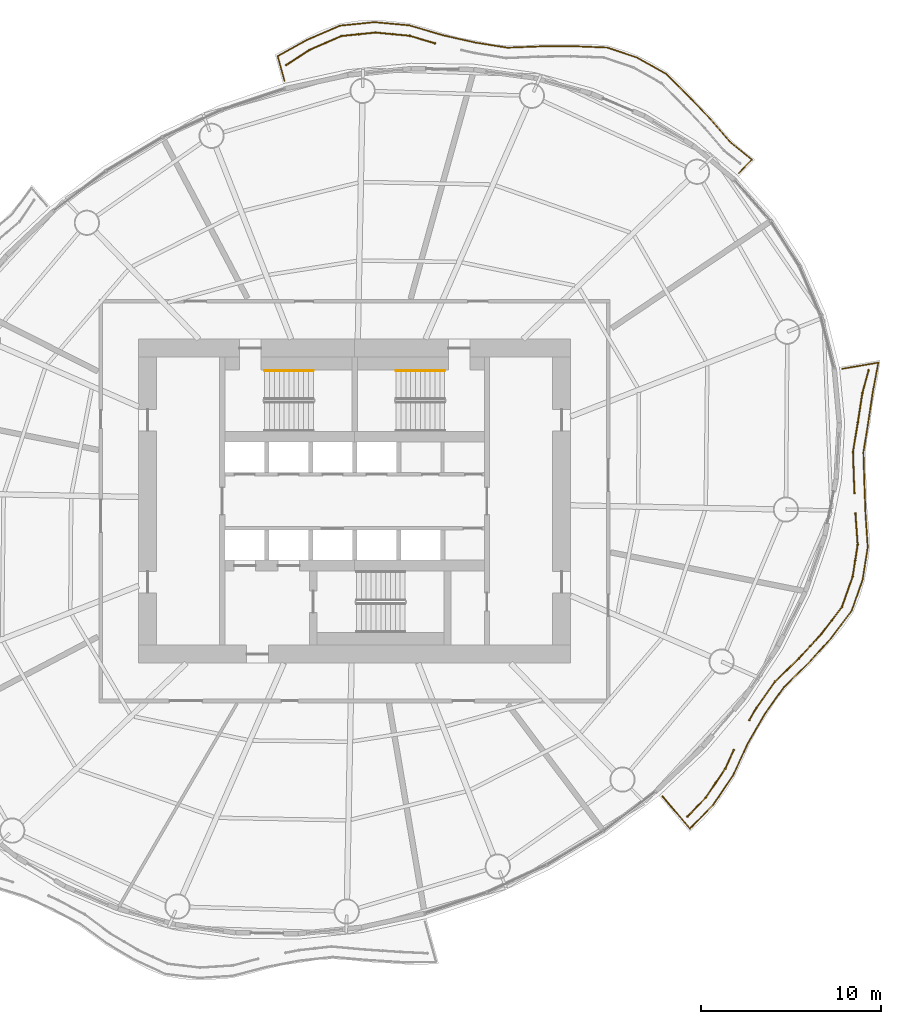
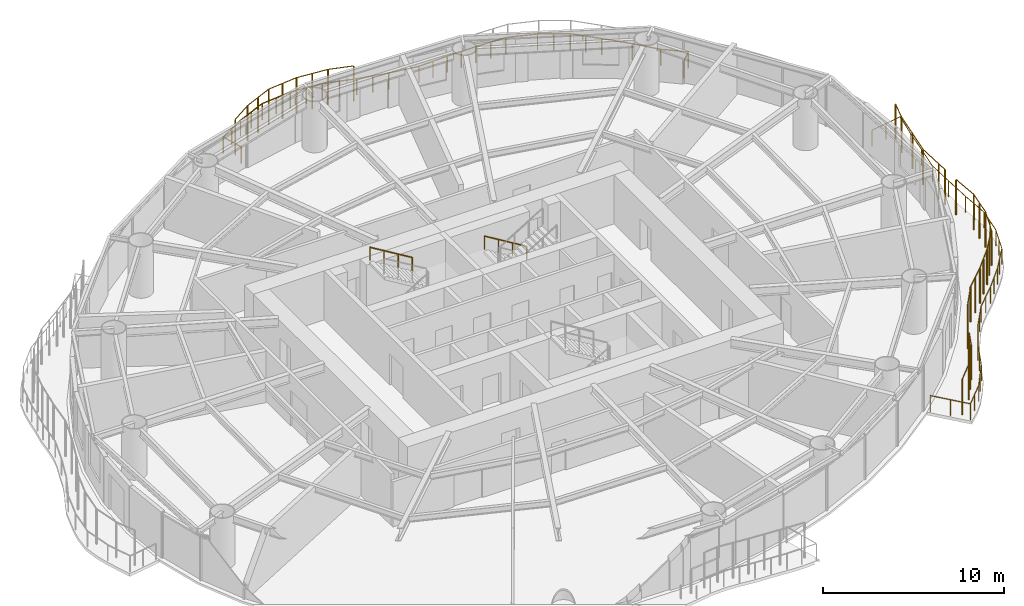
# One storey, part 15 of 16: 8 railings.
"""IFC4 building model written with IfcOpenShell, lengths in metres."""

from ifc_helpers import new_model, si_unit, direction, frame, origin, origin_2d, place, context, subcontext, project, spatial, circle, extrude, material, type_object, element, save


model = new_model("IFC4")

# Units and contexts
model_context = context("Model", 3, precision=1e-05, world=origin(), true_north=direction((0.0, 1.0)))
body_context = subcontext(model_context, "Body", "Model", "MODEL_VIEW")
ifc_project = project(units=[si_unit("LENGTHUNIT", "METRE"), si_unit("AREAUNIT", "SQUARE_METRE"), si_unit("VOLUMEUNIT", "CUBIC_METRE"), si_unit("PLANEANGLEUNIT", "RADIAN"), si_unit("MASSUNIT", "GRAM", prefix="KILO")], contexts=[model_context])

# Site, building, storey
site_placement = place(None, origin())
site = spatial("IfcSite", under=ifc_project, at=site_placement, CompositionType="ELEMENT")
building_placement = place(site_placement, origin())
building = spatial("IfcBuilding", under=site, at=building_placement, Name="Vermilion Reach Broadcast Tower", CompositionType="ELEMENT")
storey_placement = place(building_placement, frame((0.0, 0.0, 147.0)))
storey = spatial("IfcBuildingStorey", under=building, at=storey_placement, Name="L34", CompositionType="ELEMENT", Elevation=147.0)

# Railings
ifc_material_1 = material(Name="Terracotta baguette", Category="masonry")
railing_type_1 = type_object("IfcRailingType", Name="BAGUETTE SCREEN", PredefinedType="USERDEFINED", material=ifc_material_1)
railing_1_placement = place(storey_placement, frame((-1.541748046875, 25.438232421875, 0.0)))
element("IfcRailing", 1, at=railing_1_placement, inside=storey, type_object=railing_type_1, Name="Baguette screen L34 group 1 part 2", ObjectType="BAGUETTE SCREEN", PredefinedType="USERDEFINED", context=body_context, shape_type="SweptSolid", body=[
    extrude(circle(Radius=0.030029296875, at=origin_2d()), frame((0.0, 0.0, 2.369873046875), z_axis=(-0.95769247561, 0.28779354086, 0.0), x_axis=(-0.28779354086, -0.95769247561, 0.0)), (0.0, 0.0, 1.0), 1.45751953125),
    extrude(circle(Radius=0.030029296875, at=origin_2d()), frame((-1.395751953125, 0.41943359375, 2.369873046875), z_axis=(-0.995546355901, 0.094273290237, 0.0), x_axis=(-0.094273290237, -0.995546355901, 0.0)), (0.0, 0.0, 1.0), 1.913818359375),
    extrude(circle(Radius=0.030029296875, at=origin_2d()), frame((-3.301025390625, 0.599853515625, 2.369873046875), z_axis=(-0.994886842571, -0.10099589338, 0.0), x_axis=(0.10099589338, -0.994886842571, 0.0)), (0.0, 0.0, 1.0), 1.895263671875),
    extrude(circle(Radius=0.030029296875, at=origin_2d()), frame((-5.1865234375, 0.408447265625, 2.369873046875), z_axis=(-0.916602414635, -0.39979996684, 0.0), x_axis=(0.39979996684, -0.916602414635, 0.0)), (0.0, 0.0, 1.0), 1.96142578125),
    extrude(circle(Radius=0.030029296875, at=origin_2d()), frame((-6.984375, -0.375732421875, 2.369873046875), z_axis=(-0.837789559626, -0.545993272652, 0.0), x_axis=(0.545993272652, -0.837789559626, 0.0)), (0.0, 0.0, 1.0), 1.51953125),
    extrude(circle(Radius=0.050048828125, at=origin_2d()), origin(), (0.0, 0.0, 1.0), 2.33984375),
    extrude(circle(Radius=0.050048828125, at=origin_2d()), frame((-1.395751953125, 0.41943359375, 0.0)), (0.0, 0.0, 1.0), 2.33984375),
    extrude(circle(Radius=0.050048828125, at=origin_2d()), frame((-2.348388671875, 0.509765625, 0.0)), (0.0, 0.0, 1.0), 2.33984375),
    extrude(circle(Radius=0.050048828125, at=origin_2d()), frame((-3.301025390625, 0.599853515625, 0.0)), (0.0, 0.0, 1.0), 2.33984375),
    extrude(circle(Radius=0.050048828125, at=origin_2d()), frame((-4.24365234375, 0.504150390625, 0.0)), (0.0, 0.0, 1.0), 2.33984375),
    extrude(circle(Radius=0.050048828125, at=origin_2d()), frame((-5.1865234375, 0.408447265625, 0.0)), (0.0, 0.0, 1.0), 2.33984375),
    extrude(circle(Radius=0.050048828125, at=origin_2d()), frame((-6.08544921875, 0.016357421875, 0.0)), (0.0, 0.0, 1.0), 2.33984375),
    extrude(circle(Radius=0.050048828125, at=origin_2d()), frame((-6.984375, -0.375732421875, 0.0)), (0.0, 0.0, 1.0), 2.33984375),
    extrude(circle(Radius=0.050048828125, at=origin_2d()), frame((-8.25732421875, -1.205322265625, 0.0)), (0.0, 0.0, 1.0), 2.33984375),
])
railing_2_placement = place(storey_placement, frame((12.486083984375, -17.52587890625, 0.0)))
element("IfcRailing", 2, at=railing_2_placement, inside=storey, type_object=railing_type_1, Name="Baguette screen L34 group 4 part 1", ObjectType="BAGUETTE SCREEN", PredefinedType="USERDEFINED", context=body_context, shape_type="SweptSolid", body=[
    extrude(circle(Radius=0.030029296875, at=origin_2d()), frame((0.0, 0.0, 2.369873046875), z_axis=(0.695079183505, 0.718933187896, 0.0), x_axis=(-0.718933187896, 0.695079183505, 0.0)), (0.0, 0.0, 1.0), 1.473876953125),
    extrude(circle(Radius=0.030029296875, at=origin_2d()), frame((1.0244140625, 1.0595703125, 2.369873046875), z_axis=(0.558402952542, 0.829569853956, 0.0), x_axis=(-0.829569853956, 0.558402952542, 0.0)), (0.0, 0.0, 1.0), 1.94482421875),
    extrude(circle(Radius=0.030029296875, at=origin_2d()), frame((2.1103515625, 2.6728515625, 2.369873046875), z_axis=(0.412215087642, 0.911086560937, 0.0), x_axis=(-0.911086560937, 0.412215087642, 0.0)), (0.0, 0.0, 1.0), 1.1240234375),
    extrude(circle(Radius=0.050048828125, at=origin_2d()), origin(), (0.0, 0.0, 1.0), 2.33984375),
    extrude(circle(Radius=0.050048828125, at=origin_2d()), frame((1.0244140625, 1.0595703125, 0.0)), (0.0, 0.0, 1.0), 2.33984375),
    extrude(circle(Radius=0.050048828125, at=origin_2d()), frame((1.5673828125, 1.8662109375, 0.0)), (0.0, 0.0, 1.0), 2.33984375),
    extrude(circle(Radius=0.050048828125, at=origin_2d()), frame((2.1103515625, 2.6728515625, 0.0)), (0.0, 0.0, 1.0), 2.33984375),
    extrude(circle(Radius=0.050048828125, at=origin_2d()), frame((2.57373046875, 3.697021484375, 0.0)), (0.0, 0.0, 1.0), 2.33984375),
])
railing_3_placement = place(storey_placement, frame((15.930908203125, -12.15966796875, 0.0)))
element("IfcRailing", 3, at=railing_3_placement, inside=storey, type_object=railing_type_1, Name="Baguette screen L34 group 4 part 2", ObjectType="BAGUETTE SCREEN", PredefinedType="USERDEFINED", context=body_context, shape_type="SweptSolid", body=[
    extrude(circle(Radius=0.030029296875, at=origin_2d()), frame((0.0, 0.0, 2.369873046875), z_axis=(0.500360646698, 0.865817084167, 0.0), x_axis=(-0.865817084167, 0.500360646698, 0.0)), (0.0, 0.0, 1.0), 0.78369140625),
    extrude(circle(Radius=0.030029296875, at=origin_2d()), frame((0.39208984375, 0.678466796875, 2.369873046875), z_axis=(0.577444728179, 0.816429780139, 0.0), x_axis=(-0.816429780139, 0.577444728179, 0.0)), (0.0, 0.0, 1.0), 1.78662109375),
    extrude(circle(Radius=0.030029296875, at=origin_2d()), frame((1.423828125, 2.13720703125, 2.369873046875), z_axis=(0.718695260594, 0.695325191835, 0.0), x_axis=(-0.695325191835, 0.718695260594, 0.0)), (0.0, 0.0, 1.0), 1.859619140625),
    extrude(circle(Radius=0.030029296875, at=origin_2d()), frame((2.76025390625, 3.43017578125, 2.369873046875), z_axis=(0.674855651547, 0.737949760875, 0.0), x_axis=(-0.737949760875, 0.674855651547, 0.0)), (0.0, 0.0, 1.0), 1.845703125),
    extrude(circle(Radius=0.030029296875, at=origin_2d()), frame((4.005859375, 4.792236328125, 2.369873046875), z_axis=(0.607503482962, 0.79431701366, 0.0), x_axis=(-0.79431701366, 0.607503482962, 0.0)), (0.0, 0.0, 1.0), 1.867431640625),
    extrude(circle(Radius=0.030029296875, at=origin_2d()), frame((5.140380859375, 6.275634765625, 2.369873046875), z_axis=(0.333526426713, 0.942740750516, 0.0), x_axis=(-0.942740750516, 0.333526426713, 0.0)), (0.0, 0.0, 1.0), 1.789794921875),
    extrude(circle(Radius=0.030029296875, at=origin_2d()), frame((5.7373046875, 7.962890625, 2.369873046875), z_axis=(0.154669957795, 0.987966195857, 0.0), x_axis=(-0.987966195857, 0.154669957795, 0.0)), (0.0, 0.0, 1.0), 1.80419921875),
    extrude(circle(Radius=0.030029296875, at=origin_2d()), frame((6.016357421875, 9.745361328125, 2.369873046875), z_axis=(-0.073136007289, 0.997321976314, 0.0), x_axis=(-0.997321976314, -0.073136007289, 0.0)), (0.0, 0.0, 1.0), 1.73583984375),
    extrude(circle(Radius=0.050048828125, at=origin_2d()), origin(), (0.0, 0.0, 1.0), 2.33984375),
    extrude(circle(Radius=0.050048828125, at=origin_2d()), frame((0.39208984375, 0.678466796875, 0.0)), (0.0, 0.0, 1.0), 2.33984375),
    extrude(circle(Radius=0.050048828125, at=origin_2d()), frame((1.423828125, 2.13720703125, 0.0)), (0.0, 0.0, 1.0), 2.33984375),
    extrude(circle(Radius=0.050048828125, at=origin_2d()), frame((2.092041015625, 2.78369140625, 0.0)), (0.0, 0.0, 1.0), 2.33984375),
    extrude(circle(Radius=0.050048828125, at=origin_2d()), frame((2.76025390625, 3.43017578125, 0.0)), (0.0, 0.0, 1.0), 2.33984375),
    extrude(circle(Radius=0.050048828125, at=origin_2d()), frame((3.383056640625, 4.111328125, 0.0)), (0.0, 0.0, 1.0), 2.33984375),
    extrude(circle(Radius=0.050048828125, at=origin_2d()), frame((4.005859375, 4.792236328125, 0.0)), (0.0, 0.0, 1.0), 2.33984375),
    extrude(circle(Radius=0.050048828125, at=origin_2d()), frame((4.5732421875, 5.533935546875, 0.0)), (0.0, 0.0, 1.0), 2.33984375),
    extrude(circle(Radius=0.050048828125, at=origin_2d()), frame((5.140380859375, 6.275634765625, 0.0)), (0.0, 0.0, 1.0), 2.33984375),
    extrude(circle(Radius=0.050048828125, at=origin_2d()), frame((5.7373046875, 7.962890625, 0.0)), (0.0, 0.0, 1.0), 2.33984375),
    extrude(circle(Radius=0.050048828125, at=origin_2d()), frame((5.876953125, 8.85400390625, 0.0)), (0.0, 0.0, 1.0), 2.33984375),
    extrude(circle(Radius=0.050048828125, at=origin_2d()), frame((6.016357421875, 9.745361328125, 0.0)), (0.0, 0.0, 1.0), 2.33984375),
    extrude(circle(Radius=0.050048828125, at=origin_2d()), frame((5.889404296875, 11.4765625, 0.0)), (0.0, 0.0, 1.0), 2.33984375),
])
railing_4_placement = place(storey_placement, frame((21.77001953125, 0.45849609375, 0.0)))
element("IfcRailing", 4, at=railing_4_placement, inside=storey, type_object=railing_type_1, Name="Baguette screen L34 group 4 part 3", ObjectType="BAGUETTE SCREEN", PredefinedType="USERDEFINED", context=body_context, shape_type="SweptSolid", body=[
    extrude(circle(Radius=0.030029296875, at=origin_2d()), frame((0.0, 0.0, 2.369873046875), z_axis=(-0.042071972181, 0.999114582596, 0.0), x_axis=(-0.999114582596, -0.042071972181, 0.0)), (0.0, 0.0, 1.0), 0.64404296875),
    extrude(circle(Radius=0.030029296875, at=origin_2d()), frame((-0.027099609375, 0.6435546875, 2.369873046875), z_axis=(-0.034349603017, 0.999409878264, 0.0), x_axis=(-0.999409878264, -0.034349603017, 0.0)), (0.0, 0.0, 1.0), 1.641845703125),
    extrude(circle(Radius=0.030029296875, at=origin_2d()), frame((-0.08349609375, 2.284423828125, 2.369873046875), z_axis=(0.162958717387, 0.986632888377, 0.0), x_axis=(-0.986632888377, 0.162958717387, 0.0)), (0.0, 0.0, 1.0), 1.6494140625),
    extrude(circle(Radius=0.030029296875, at=origin_2d()), frame((0.185302734375, 3.911865234375, 2.369873046875), z_axis=(0.152821240758, 0.988253848145, 0.0), x_axis=(-0.988253848145, 0.152821240758, 0.0)), (0.0, 0.0, 1.0), 1.65673828125),
    extrude(circle(Radius=0.030029296875, at=origin_2d()), frame((0.4384765625, 5.549072265625, 2.369873046875), z_axis=(0.263054305467, 0.9647810282, 0.0), x_axis=(-0.9647810282, 0.263054305467, 0.0)), (0.0, 0.0, 1.0), 1.3095703125),
    extrude(circle(Radius=0.050048828125, at=origin_2d()), origin(), (0.0, 0.0, 1.0), 2.33984375),
    extrude(circle(Radius=0.050048828125, at=origin_2d()), frame((-0.027099609375, 0.6435546875, 0.0)), (0.0, 0.0, 1.0), 2.33984375),
    extrude(circle(Radius=0.050048828125, at=origin_2d()), frame((-0.08349609375, 2.284423828125, 0.0)), (0.0, 0.0, 1.0), 2.33984375),
    extrude(circle(Radius=0.050048828125, at=origin_2d()), frame((0.185302734375, 3.911865234375, 0.0)), (0.0, 0.0, 1.0), 2.33984375),
    extrude(circle(Radius=0.050048828125, at=origin_2d()), frame((0.4384765625, 5.549072265625, 0.0)), (0.0, 0.0, 1.0), 2.33984375),
    extrude(circle(Radius=0.050048828125, at=origin_2d()), frame((0.782958984375, 6.8125, 0.0)), (0.0, 0.0, 1.0), 2.33984375),
])
ifc_material_2 = material(Name="Stainless steel 316 balustrade", Category="steel")
railing_type_2 = type_object("IfcRailingType", Name="Balcony guard 1100", PredefinedType="BALUSTRADE", material=ifc_material_2)
railing_5_placement = place(storey_placement, frame((15.3505859375, 18.23193359375, 0.0)))
element("IfcRailing", 5, at=railing_5_placement, inside=storey, type_object=railing_type_2, Name="Balcony guard L34 group 1", PredefinedType="BALUSTRADE", context=body_context, shape_type="SweptSolid", body=[
    extrude(circle(Radius=0.02490234375, at=origin_2d()), frame((0.0, 0.0, 1.0751953125), z_axis=(0.695681001241, 0.718350850568, 0.0), x_axis=(-0.718350850568, 0.695681001241, 0.0)), (0.0, 0.0, 1.0), 1.033935546875),
    extrude(circle(Radius=0.02490234375, at=origin_2d()), frame((0.71923828125, 0.74267578125, 1.0751953125), z_axis=(-0.777953227671, 0.628322190883, 0.0), x_axis=(-0.628322190883, -0.777953227671, 0.0)), (0.0, 0.0, 1.0), 1.52392578125),
    extrude(circle(Radius=0.02490234375, at=origin_2d()), frame((-0.46630859375, 1.7001953125, 1.0751953125), z_axis=(-0.654499581883, 0.756062363377, 0.0), x_axis=(-0.756062363377, -0.654499581883, 0.0)), (0.0, 0.0, 1.0), 1.6826171875),
    extrude(circle(Radius=0.02490234375, at=origin_2d()), frame((-1.567626953125, 2.972412109375, 1.0751953125), z_axis=(-0.690704148671, 0.723137455128, 0.0), x_axis=(-0.723137455128, -0.690704148671, 0.0)), (0.0, 0.0, 1.0), 1.75390625),
    extrude(circle(Radius=0.02490234375, at=origin_2d()), frame((-2.779052734375, 4.24072265625, 1.0751953125), z_axis=(-0.708391873301, 0.705819349296, 0.0), x_axis=(-0.705819349296, -0.708391873301, 0.0)), (0.0, 0.0, 1.0), 1.80322265625),
    extrude(circle(Radius=0.02490234375, at=origin_2d()), frame((-4.056396484375, 5.513427734375, 1.0751953125), z_axis=(-0.871311272988, 0.490730746503, 0.0), x_axis=(-0.490730746503, -0.871311272988, 0.0)), (0.0, 0.0, 1.0), 1.802001953125),
    extrude(circle(Radius=0.02490234375, at=origin_2d()), frame((-5.62646484375, 6.397705078125, 1.0751953125), z_axis=(-0.947367343621, 0.320148584629, 0.0), x_axis=(-0.320148584629, -0.947367343621, 0.0)), (0.0, 0.0, 1.0), 1.7919921875),
    extrude(circle(Radius=0.02490234375, at=origin_2d()), frame((-7.32421875, 6.971435546875, 1.0751953125), z_axis=(-0.999181731548, 0.040445856893, 0.0), x_axis=(-0.040445856893, -0.999181731548, 0.0)), (0.0, 0.0, 1.0), 1.877197265625),
    extrude(circle(Radius=0.02490234375, at=origin_2d()), frame((-9.199951171875, 7.04736328125, 1.0751953125), z_axis=(-0.999978647075, -0.006534936477, 0.0), x_axis=(0.006534936477, -0.999978647075, 0.0)), (0.0, 0.0, 1.0), 1.83056640625),
    extrude(circle(Radius=0.02490234375, at=origin_2d()), frame((-11.030517578125, 7.035400390625, 1.0751953125), z_axis=(-0.999265492201, -0.038320700633, 0.0), x_axis=(0.038320700633, -0.999265492201, 0.0)), (0.0, 0.0, 1.0), 1.8349609375),
    extrude(circle(Radius=0.02490234375, at=origin_2d()), frame((-12.864013671875, 6.965087890625, 1.0751953125), z_axis=(-0.98769966015, 0.156362979439, 0.0), x_axis=(-0.156362979439, -0.98769966015, 0.0)), (0.0, 0.0, 1.0), 1.78466796875),
    extrude(circle(Radius=0.02490234375, at=origin_2d()), frame((-14.626708984375, 7.244140625, 1.0751953125), z_axis=(-0.975489062991, 0.220047922019, 0.0), x_axis=(-0.220047922019, -0.975489062991, 0.0)), (0.0, 0.0, 1.0), 1.864990234375),
    extrude(circle(Radius=0.02490234375, at=origin_2d()), frame((-16.446044921875, 7.654541015625, 1.0751953125), z_axis=(-0.959175564246, 0.282811309803, 0.0), x_axis=(-0.282811309803, -0.959175564246, 0.0)), (0.0, 0.0, 1.0), 1.94677734375),
    extrude(circle(Radius=0.02490234375, at=origin_2d()), frame((-18.313232421875, 8.205078125, 1.0751953125), z_axis=(-0.995803318666, 0.091519126605, 0.0), x_axis=(-0.091519126605, -0.995803318666, 0.0)), (0.0, 0.0, 1.0), 1.947265625),
    extrude(circle(Radius=0.02490234375, at=origin_2d()), frame((-20.25244140625, 8.38330078125, 1.0751953125), z_axis=(-0.994828137231, -0.101572522732, 0.0), x_axis=(0.101572522732, -0.994828137231, 0.0)), (0.0, 0.0, 1.0), 1.927734375),
    extrude(circle(Radius=0.02490234375, at=origin_2d()), frame((-22.170166015625, 8.1875, 1.0751953125), z_axis=(-0.918058301266, -0.396445400373, 0.0), x_axis=(0.396445400373, -0.918058301266, 0.0)), (0.0, 0.0, 1.0), 1.993408203125),
    extrude(circle(Radius=0.02490234375, at=origin_2d()), frame((-24.000244140625, 7.397216796875, 1.0751953125), z_axis=(-0.873240514822, -0.487289445067, 0.0), x_axis=(0.487289445067, -0.873240514822, 0.0)), (0.0, 0.0, 1.0), 1.8623046875),
    extrude(circle(Radius=0.02490234375, at=origin_2d()), frame((-25.62646484375, 6.48974609375, 1.0751953125), z_axis=(0.266301446619, -0.963889796361, 0.0), x_axis=(0.963889796361, 0.266301446619, 0.0)), (0.0, 0.0, 1.0), 1.4072265625),
    extrude(circle(Radius=0.02490234375, at=origin_2d()), origin(), (0.0, 0.0, 1.0), 1.050048828125),
    extrude(circle(Radius=0.02490234375, at=origin_2d()), frame((0.71923828125, 0.74267578125, 0.0)), (0.0, 0.0, 1.0), 1.050048828125),
    extrude(circle(Radius=0.02490234375, at=origin_2d()), frame((-0.46630859375, 1.7001953125, 0.0)), (0.0, 0.0, 1.0), 1.050048828125),
    extrude(circle(Radius=0.02490234375, at=origin_2d()), frame((-1.567626953125, 2.972412109375, 0.0)), (0.0, 0.0, 1.0), 1.050048828125),
    extrude(circle(Radius=0.02490234375, at=origin_2d()), frame((-2.779052734375, 4.24072265625, 0.0)), (0.0, 0.0, 1.0), 1.050048828125),
    extrude(circle(Radius=0.02490234375, at=origin_2d()), frame((-3.417724609375, 4.876953125, 0.0)), (0.0, 0.0, 1.0), 1.050048828125),
    extrude(circle(Radius=0.02490234375, at=origin_2d()), frame((-4.056396484375, 5.513427734375, 0.0)), (0.0, 0.0, 1.0), 1.050048828125),
    extrude(circle(Radius=0.02490234375, at=origin_2d()), frame((-4.84130859375, 5.95556640625, 0.0)), (0.0, 0.0, 1.0), 1.050048828125),
    extrude(circle(Radius=0.02490234375, at=origin_2d()), frame((-5.62646484375, 6.397705078125, 0.0)), (0.0, 0.0, 1.0), 1.050048828125),
    extrude(circle(Radius=0.02490234375, at=origin_2d()), frame((-7.32421875, 6.971435546875, 0.0)), (0.0, 0.0, 1.0), 1.050048828125),
    extrude(circle(Radius=0.02490234375, at=origin_2d()), frame((-8.26220703125, 7.00927734375, 0.0)), (0.0, 0.0, 1.0), 1.050048828125),
    extrude(circle(Radius=0.02490234375, at=origin_2d()), frame((-9.199951171875, 7.04736328125, 0.0)), (0.0, 0.0, 1.0), 1.050048828125),
    extrude(circle(Radius=0.02490234375, at=origin_2d()), frame((-10.115234375, 7.04150390625, 0.0)), (0.0, 0.0, 1.0), 1.050048828125),
    extrude(circle(Radius=0.02490234375, at=origin_2d()), frame((-11.030517578125, 7.035400390625, 0.0)), (0.0, 0.0, 1.0), 1.050048828125),
    extrude(circle(Radius=0.02490234375, at=origin_2d()), frame((-11.947265625, 7.000244140625, 0.0)), (0.0, 0.0, 1.0), 1.050048828125),
    extrude(circle(Radius=0.02490234375, at=origin_2d()), frame((-12.864013671875, 6.965087890625, 0.0)), (0.0, 0.0, 1.0), 1.050048828125),
    extrude(circle(Radius=0.02490234375, at=origin_2d()), frame((-14.626708984375, 7.244140625, 0.0)), (0.0, 0.0, 1.0), 1.050048828125),
    extrude(circle(Radius=0.02490234375, at=origin_2d()), frame((-15.536376953125, 7.44921875, 0.0)), (0.0, 0.0, 1.0), 1.050048828125),
    extrude(circle(Radius=0.02490234375, at=origin_2d()), frame((-16.446044921875, 7.654541015625, 0.0)), (0.0, 0.0, 1.0), 1.050048828125),
    extrude(circle(Radius=0.02490234375, at=origin_2d()), frame((-17.379638671875, 7.9296875, 0.0)), (0.0, 0.0, 1.0), 1.050048828125),
    extrude(circle(Radius=0.02490234375, at=origin_2d()), frame((-18.313232421875, 8.205078125, 0.0)), (0.0, 0.0, 1.0), 1.050048828125),
    extrude(circle(Radius=0.02490234375, at=origin_2d()), frame((-19.28271484375, 8.294189453125, 0.0)), (0.0, 0.0, 1.0), 1.050048828125),
    extrude(circle(Radius=0.02490234375, at=origin_2d()), frame((-20.25244140625, 8.38330078125, 0.0)), (0.0, 0.0, 1.0), 1.050048828125),
    extrude(circle(Radius=0.02490234375, at=origin_2d()), frame((-21.21142578125, 8.285400390625, 0.0)), (0.0, 0.0, 1.0), 1.050048828125),
    extrude(circle(Radius=0.02490234375, at=origin_2d()), frame((-22.170166015625, 8.1875, 0.0)), (0.0, 0.0, 1.0), 1.050048828125),
    extrude(circle(Radius=0.02490234375, at=origin_2d()), frame((-23.085205078125, 7.79248046875, 0.0)), (0.0, 0.0, 1.0), 1.050048828125),
    extrude(circle(Radius=0.02490234375, at=origin_2d()), frame((-24.000244140625, 7.397216796875, 0.0)), (0.0, 0.0, 1.0), 1.050048828125),
    extrude(circle(Radius=0.02490234375, at=origin_2d()), frame((-24.8134765625, 6.943359375, 0.0)), (0.0, 0.0, 1.0), 1.050048828125),
    extrude(circle(Radius=0.02490234375, at=origin_2d()), frame((-25.62646484375, 6.48974609375, 0.0)), (0.0, 0.0, 1.0), 1.050048828125),
    extrude(circle(Radius=0.02490234375, at=origin_2d()), frame((-25.251708984375, 5.13330078125, 0.0)), (0.0, 0.0, 1.0), 1.050048828125),
])
railing_6_placement = place(storey_placement, frame((11.097900390625, -16.395751953125, 0.0)))
element("IfcRailing", 6, at=railing_6_placement, inside=storey, type_object=railing_type_2, Name="Balcony guard L34 group 4", PredefinedType="BALUSTRADE", context=body_context, shape_type="SweptSolid", body=[
    extrude(circle(Radius=0.02490234375, at=origin_2d()), frame((0.0, 0.0, 1.0751953125), z_axis=(0.646002589492, -0.763335217561, 0.0), x_axis=(0.763335217561, 0.646002589492, 0.0)), (0.0, 0.0, 1.0), 2.357421875),
    extrude(circle(Radius=0.02490234375, at=origin_2d()), frame((1.52294921875, -1.799560546875, 1.0751953125), z_axis=(0.701832823825, 0.71234169287, 0.0), x_axis=(-0.71234169287, 0.701832823825, 0.0)), (0.0, 0.0, 1.0), 1.835205078125),
    extrude(circle(Radius=0.02490234375, at=origin_2d()), frame((2.81103515625, -0.4921875, 1.0751953125), z_axis=(0.560981925456, 0.827828049363, 0.0), x_axis=(-0.827828049363, 0.560981925456, 0.0)), (0.0, 0.0, 1.0), 1.97705078125),
    extrude(circle(Radius=0.02490234375, at=origin_2d()), frame((3.920166015625, 1.14453125, 1.0751953125), z_axis=(0.416820850148, 0.90898865718, 0.0), x_axis=(-0.90898865718, 0.416820850148, 0.0)), (0.0, 0.0, 1.0), 1.973388671875),
    extrude(circle(Radius=0.02490234375, at=origin_2d()), frame((4.74267578125, 2.938232421875, 1.0751953125), z_axis=(0.50251685146, 0.864567414375, 0.0), x_axis=(-0.864567414375, 0.50251685146, 0.0)), (0.0, 0.0, 1.0), 1.884033203125),
    extrude(circle(Radius=0.02490234375, at=origin_2d()), frame((5.689453125, 4.567138671875, 1.0751953125), z_axis=(0.577451639834, 0.816424891618, 0.0), x_axis=(-0.816424891618, 0.577451639834, 0.0)), (0.0, 0.0, 1.0), 1.820556640625),
    extrude(circle(Radius=0.02490234375, at=origin_2d()), frame((6.74072265625, 6.053466796875, 1.0751953125), z_axis=(0.715500555277, 0.698612163792, 0.0), x_axis=(-0.698612163792, 0.715500555277, 0.0)), (0.0, 0.0, 1.0), 1.893798828125),
    extrude(circle(Radius=0.02490234375, at=origin_2d()), frame((8.095703125, 7.37646484375, 1.0751953125), z_axis=(0.671385748115, 0.74110807392, 0.0), x_axis=(-0.74110807392, 0.671385748115, 0.0)), (0.0, 0.0, 1.0), 1.88037109375),
    extrude(circle(Radius=0.02490234375, at=origin_2d()), frame((9.358154296875, 8.77001953125, 1.0751953125), z_axis=(0.604055206625, 0.796942474303, 0.0), x_axis=(-0.796942474303, 0.604055206625, 0.0)), (0.0, 0.0, 1.0), 1.903564453125),
    extrude(circle(Radius=0.02490234375, at=origin_2d()), frame((10.508056640625, 10.287109375, 1.0751953125), z_axis=(0.334049960686, 0.942555369072, 0.0), x_axis=(-0.942555369072, 0.334049960686, 0.0)), (0.0, 0.0, 1.0), 1.8271484375),
    extrude(circle(Radius=0.02490234375, at=origin_2d()), frame((11.118408203125, 12.00927734375, 1.0751953125), z_axis=(0.157649478249, 0.987495135182, 0.0), x_axis=(-0.987495135182, 0.157649478249, 0.0)), (0.0, 0.0, 1.0), 1.8427734375),
    extrude(circle(Radius=0.02490234375, at=origin_2d()), frame((11.408935546875, 13.8291015625, 1.0751953125), z_axis=(-0.066624926518, 0.997778091144, 0.0), x_axis=(-0.997778091144, -0.066624926518, 0.0)), (0.0, 0.0, 1.0), 1.8359375),
    extrude(circle(Radius=0.02490234375, at=origin_2d()), frame((11.28662109375, 15.660888671875, 1.0751953125), z_axis=(-0.037625608867, 0.99929190608, 0.0), x_axis=(-0.99929190608, -0.037625608867, 0.0)), (0.0, 0.0, 1.0), 1.764892578125),
    extrude(circle(Radius=0.02490234375, at=origin_2d()), frame((11.22021484375, 17.424560546875, 1.0751953125), z_axis=(-0.031193986076, 0.999513349202, 0.0), x_axis=(-0.999513349202, -0.031193986076, 0.0)), (0.0, 0.0, 1.0), 1.6826171875),
    extrude(circle(Radius=0.02490234375, at=origin_2d()), frame((11.167724609375, 19.1064453125, 1.0751953125), z_axis=(0.159295949425, 0.987230874971, 0.0), x_axis=(-0.987230874971, 0.159295949425, 0.0)), (0.0, 0.0, 1.0), 1.69189453125),
    extrude(circle(Radius=0.02490234375, at=origin_2d()), frame((11.437255859375, 20.77685546875, 1.0751953125), z_axis=(0.147715065759, 0.989029958772, 0.0), x_axis=(-0.989029958772, 0.147715065759, 0.0)), (0.0, 0.0, 1.0), 1.698974609375),
    extrude(circle(Radius=0.02490234375, at=origin_2d()), frame((11.688232421875, 22.457275390625, 1.0751953125), z_axis=(0.184881600943, 0.98276080184, 0.0), x_axis=(-0.98276080184, 0.184881600943, 0.0)), (0.0, 0.0, 1.0), 1.665283203125),
    extrude(circle(Radius=0.02490234375, at=origin_2d()), frame((11.99609375, 24.09375, 1.0751953125), z_axis=(-0.985504572946, -0.169648862954, 0.0), x_axis=(0.169648862954, -0.985504572946, 0.0)), (0.0, 0.0, 1.0), 2.027587890625),
    extrude(circle(Radius=0.02490234375, at=origin_2d()), origin(), (0.0, 0.0, 1.0), 1.050048828125),
    extrude(circle(Radius=0.02490234375, at=origin_2d()), frame((0.761474609375, -0.89990234375, 0.0)), (0.0, 0.0, 1.0), 1.050048828125),
    extrude(circle(Radius=0.02490234375, at=origin_2d()), frame((1.52294921875, -1.799560546875, 0.0)), (0.0, 0.0, 1.0), 1.050048828125),
    extrude(circle(Radius=0.02490234375, at=origin_2d()), frame((2.1669921875, -1.14599609375, 0.0)), (0.0, 0.0, 1.0), 1.050048828125),
    extrude(circle(Radius=0.02490234375, at=origin_2d()), frame((2.81103515625, -0.4921875, 0.0)), (0.0, 0.0, 1.0), 1.050048828125),
    extrude(circle(Radius=0.02490234375, at=origin_2d()), frame((3.36572265625, 0.326171875, 0.0)), (0.0, 0.0, 1.0), 1.050048828125),
    extrude(circle(Radius=0.02490234375, at=origin_2d()), frame((3.920166015625, 1.14453125, 0.0)), (0.0, 0.0, 1.0), 1.050048828125),
    extrude(circle(Radius=0.02490234375, at=origin_2d()), frame((4.33154296875, 2.04150390625, 0.0)), (0.0, 0.0, 1.0), 1.050048828125),
    extrude(circle(Radius=0.02490234375, at=origin_2d()), frame((4.74267578125, 2.938232421875, 0.0)), (0.0, 0.0, 1.0), 1.050048828125),
    extrude(circle(Radius=0.02490234375, at=origin_2d()), frame((5.216064453125, 3.752685546875, 0.0)), (0.0, 0.0, 1.0), 1.050048828125),
    extrude(circle(Radius=0.02490234375, at=origin_2d()), frame((5.689453125, 4.567138671875, 0.0)), (0.0, 0.0, 1.0), 1.050048828125),
    extrude(circle(Radius=0.02490234375, at=origin_2d()), frame((6.215087890625, 5.310302734375, 0.0)), (0.0, 0.0, 1.0), 1.050048828125),
    extrude(circle(Radius=0.02490234375, at=origin_2d()), frame((6.74072265625, 6.053466796875, 0.0)), (0.0, 0.0, 1.0), 1.050048828125),
    extrude(circle(Radius=0.02490234375, at=origin_2d()), frame((7.418212890625, 6.71484375, 0.0)), (0.0, 0.0, 1.0), 1.050048828125),
    extrude(circle(Radius=0.02490234375, at=origin_2d()), frame((8.095703125, 7.37646484375, 0.0)), (0.0, 0.0, 1.0), 1.050048828125),
    extrude(circle(Radius=0.02490234375, at=origin_2d()), frame((8.72705078125, 8.0732421875, 0.0)), (0.0, 0.0, 1.0), 1.050048828125),
    extrude(circle(Radius=0.02490234375, at=origin_2d()), frame((9.358154296875, 8.77001953125, 0.0)), (0.0, 0.0, 1.0), 1.050048828125),
    extrude(circle(Radius=0.02490234375, at=origin_2d()), frame((9.93310546875, 9.528564453125, 0.0)), (0.0, 0.0, 1.0), 1.050048828125),
    extrude(circle(Radius=0.02490234375, at=origin_2d()), frame((10.508056640625, 10.287109375, 0.0)), (0.0, 0.0, 1.0), 1.050048828125),
    extrude(circle(Radius=0.02490234375, at=origin_2d()), frame((10.813232421875, 11.148193359375, 0.0)), (0.0, 0.0, 1.0), 1.050048828125),
    extrude(circle(Radius=0.02490234375, at=origin_2d()), frame((11.118408203125, 12.00927734375, 0.0)), (0.0, 0.0, 1.0), 1.050048828125),
    extrude(circle(Radius=0.02490234375, at=origin_2d()), frame((11.263671875, 12.919189453125, 0.0)), (0.0, 0.0, 1.0), 1.050048828125),
    extrude(circle(Radius=0.02490234375, at=origin_2d()), frame((11.408935546875, 13.8291015625, 0.0)), (0.0, 0.0, 1.0), 1.050048828125),
    extrude(circle(Radius=0.02490234375, at=origin_2d()), frame((11.34765625, 14.7451171875, 0.0)), (0.0, 0.0, 1.0), 1.050048828125),
    extrude(circle(Radius=0.02490234375, at=origin_2d()), frame((11.28662109375, 15.660888671875, 0.0)), (0.0, 0.0, 1.0), 1.050048828125),
    extrude(circle(Radius=0.02490234375, at=origin_2d()), frame((11.22021484375, 17.424560546875, 0.0)), (0.0, 0.0, 1.0), 1.050048828125),
    extrude(circle(Radius=0.02490234375, at=origin_2d()), frame((11.167724609375, 19.1064453125, 0.0)), (0.0, 0.0, 1.0), 1.050048828125),
    extrude(circle(Radius=0.02490234375, at=origin_2d()), frame((11.437255859375, 20.77685546875, 0.0)), (0.0, 0.0, 1.0), 1.050048828125),
    extrude(circle(Radius=0.02490234375, at=origin_2d()), frame((11.688232421875, 22.457275390625, 0.0)), (0.0, 0.0, 1.0), 1.050048828125),
    extrude(circle(Radius=0.02490234375, at=origin_2d()), frame((11.99609375, 24.09375, 0.0)), (0.0, 0.0, 1.0), 1.050048828125),
    extrude(circle(Radius=0.02490234375, at=origin_2d()), frame((10.9970703125, 23.921875, 0.0)), (0.0, 0.0, 1.0), 1.050048828125),
    extrude(circle(Radius=0.02490234375, at=origin_2d()), frame((9.997802734375, 23.749755859375, 0.0)), (0.0, 0.0, 1.0), 1.050048828125),
])
ifc_material_3 = material(Name="Stainless steel", Category="steel")
railing_type_3 = type_object("IfcRailingType", Name="Stair handrail", PredefinedType="HANDRAIL", material=ifc_material_3)
for number, where, name in (
    (7, (-8.300048828125, 7.25, 1.963623046875), "L34 ST1 stair handrail 2"),
    (8, (-1.0, 7.25, 0.16357421875), "L34 ST2 stair handrail 1"),
):
    element("IfcRailing", number, at=place(storey_placement, frame(where)), inside=storey, type_object=railing_type_3, Name=name, PredefinedType="HANDRAIL", context=body_context, shape_type="SweptSolid", body=[
        extrude(circle(Radius=0.02392578125, at=origin_2d()), frame((0.0, 0.0, 0.8759765625), z_axis=(-0.855178096276, 0.0, 0.518334277904), x_axis=(0.0, -1.0, 0.0)), (0.0, 0.0, 1.0), 3.1572265625),
        extrude(circle(Radius=0.02099609375, at=origin_2d()), origin(), (0.0, 0.0, 1.0), 0.851806640625),
        extrude(circle(Radius=0.02099609375, at=origin_2d()), frame((-0.89990234375, 0.0, 0.54541015625)), (0.0, 0.0, 1.0), 0.851806640625),
        extrude(circle(Radius=0.02099609375, at=origin_2d()), frame((-1.800048828125, 0.0, 1.091064453125)), (0.0, 0.0, 1.0), 0.851806640625),
        extrude(circle(Radius=0.02099609375, at=origin_2d()), frame((-2.699951171875, 0.0, 1.636474609375)), (0.0, 0.0, 1.0), 0.851806640625),
    ])

save(model, "model.ifc")
